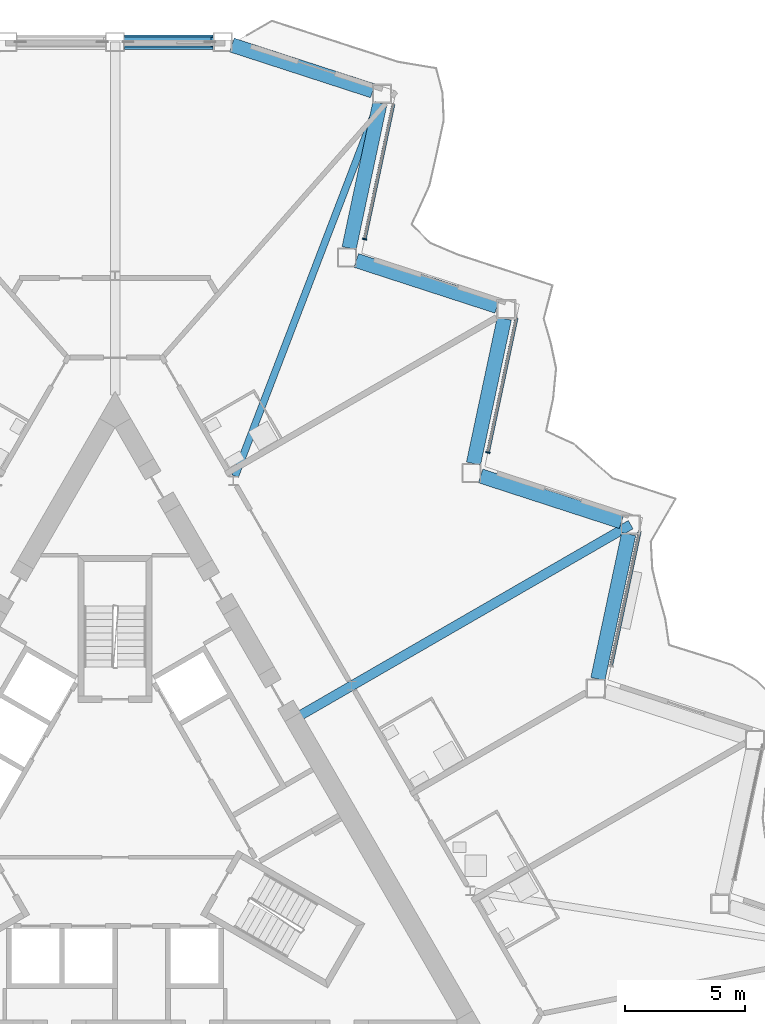
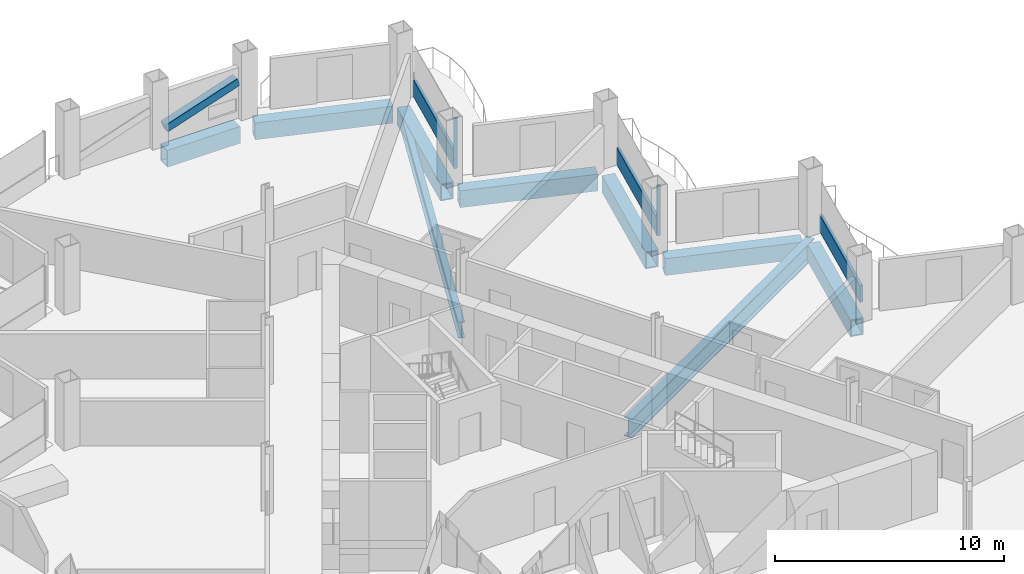
# One storey, part 8 of 23: 8 beams, 7 members, 3 elements without a shape of their own.
"""IFC4 building model written with IfcOpenShell, lengths in metres."""

import ifcopenshell
import ifcopenshell.guid

model = None  # the IFC model being written
_history = None  # IfcOwnerHistory: only IFC2X3 demands one
_inside = {}  # id of a spatial element -> (the spatial element, [elements in it])
_under = {}  # id of a project, library or spatial element -> (it, [spatial elements below it])
_declared = {}  # id of a project -> (the project, [libraries it declares])
_typed = {}  # id of a type object -> (the type object, [elements of that type])
_made_of = {}  # id of a material, layer set ... -> (it, [elements and type objects made of it])


def new_model(schema):
    """Start an empty IFC model of exactly this schema.

    Asked for "IFC4X3", IfcOpenShell would pick the latest addendum, in which some entities
    have other attributes; the version numbers below select the first issue.
    IFC2X3 requires an IfcOwnerHistory on every rooted entity: one is made here for all.
    """
    global model, _history
    if schema == "IFC4X3":
        model = ifcopenshell.file(schema_version=(4, 3, 0, 0))
    else:
        model = ifcopenshell.file(schema=schema)
    _inside.clear()
    _under.clear()
    _declared.clear()
    _typed.clear()
    _made_of.clear()
    _history = None
    if model.schema == "IFC2X3":
        org = make("IfcOrganization", Name="unknown")
        user = make(
            "IfcPersonAndOrganization",
            ThePerson=make("IfcPerson", FamilyName="unknown"),
            TheOrganization=org,
        )
        app = make(
            "IfcApplication",
            ApplicationDeveloper=org,
            Version="unknown",
            ApplicationFullName="unknown",
            ApplicationIdentifier="unknown",
        )
        _history = make(
            "IfcOwnerHistory",
            OwningUser=user,
            OwningApplication=app,
            ChangeAction="ADDED",
            CreationDate=0,
        )
    return model


def make(cls, **values):
    """One entity of the class cls with the attributes given. An attribute that is None is left unset."""
    return model.create_entity(
        cls, **{name: value for name, value in values.items() if value is not None}
    )


def rooted(cls, **values):
    """An entity with a GlobalId (a new one), such as an element, a storey or a relation."""
    return make(cls, GlobalId=ifcopenshell.guid.new(), OwnerHistory=_history, **values)


def si_unit(unit_type, name, prefix=None):
    """IfcSIUnit, for example si_unit("LENGTHUNIT", "METRE", prefix="MILLI")."""
    return make("IfcSIUnit", UnitType=unit_type, Prefix=prefix, Name=name)


def assignment(units):
    """IfcUnitAssignment: the units of a project."""
    return None if units is None else make("IfcUnitAssignment", Units=units)


def point(xyz):
    """IfcCartesianPoint."""
    return None if xyz is None else make("IfcCartesianPoint", Coordinates=xyz)


def direction(xyz):
    """IfcDirection."""
    return None if xyz is None else make("IfcDirection", DirectionRatios=xyz)


def frame(location, z_axis=None, x_axis=None):
    """IfcAxis2Placement3D, a coordinate frame: its origin and axes. An axis left out is left unset."""
    return make(
        "IfcAxis2Placement3D",
        Location=point(location),
        Axis=direction(z_axis),
        RefDirection=direction(x_axis),
    )


def frame_2d(location, x_axis=None):
    """IfcAxis2Placement2D, a coordinate frame in the plane: its origin and x axis."""
    return make(
        "IfcAxis2Placement2D", Location=point(location), RefDirection=direction(x_axis)
    )


def origin():
    """The frame at (0, 0, 0) with its axes left unset."""
    return frame((0.0, 0.0, 0.0))


def origin_2d():
    """The frame at (0, 0) in the plane with its x axis left unset."""
    return frame_2d((0.0, 0.0))


def place(relative_to, where):
    """IfcLocalPlacement: puts the frame where relative to a parent placement (None: the world)."""
    return make(
        "IfcLocalPlacement", PlacementRelTo=relative_to, RelativePlacement=where
    )


def context(
    kind, dimensions, precision=None, world=None, true_north=None, identifier=None
):
    """IfcGeometricRepresentationContext, for example the 3D "Model" context."""
    return make(
        "IfcGeometricRepresentationContext",
        ContextIdentifier=identifier,
        ContextType=kind,
        CoordinateSpaceDimension=dimensions,
        Precision=precision,
        WorldCoordinateSystem=world,
        TrueNorth=true_north,
    )


def subcontext(parent, identifier, kind, view, scale=None):
    """IfcGeometricRepresentationSubContext, for example "Body" below "Model"."""
    return make(
        "IfcGeometricRepresentationSubContext",
        ContextIdentifier=identifier,
        ContextType=kind,
        ParentContext=parent,
        TargetScale=scale,
        TargetView=view,
    )


def project(units=None, contexts=None):
    """IfcProject with its units and contexts."""
    return rooted(
        "IfcProject",
        Name="project",
        RepresentationContexts=contexts,
        UnitsInContext=assignment(units),
    )


def spatial(cls, under=None, at=None, **own):
    """A site, building, storey or space (cls), placed at a placement, below another one or the project."""
    s = rooted(cls, ObjectPlacement=at, **own)
    if under is not None:
        _under.setdefault(under.id(), (under, []))[1].append(s)
    return s


def profile(cls, at=None, kind="AREA", **sizes):
    """A parametric profile (cls). Its sizes go by their IFC names, for example OverallWidth=200.0."""
    return make(cls, ProfileType=kind, Position=at, **sizes)


def rectangle(**sizes):
    """IfcRectangleProfileDef."""
    return profile("IfcRectangleProfileDef", **sizes)


def hollow_rectangle(**sizes):
    """IfcRectangleHollowProfileDef."""
    return profile("IfcRectangleHollowProfileDef", **sizes)


def i_section(**sizes):
    """IfcIShapeProfileDef."""
    return profile("IfcIShapeProfileDef", **sizes)


def extrude(swept, where, along, depth):
    """IfcExtrudedAreaSolid: the profile swept, set in the frame where, extruded along a direction by depth."""
    return make(
        "IfcExtrudedAreaSolid",
        SweptArea=swept,
        Position=where,
        ExtrudedDirection=direction(along),
        Depth=depth,
    )


def shape(context_of_items, identifier, shape_type, items):
    """IfcShapeRepresentation: the items that make up one representation, for example the "Body"."""
    return make(
        "IfcShapeRepresentation",
        ContextOfItems=context_of_items,
        RepresentationIdentifier=identifier,
        RepresentationType=shape_type,
        Items=items,
    )


def material(Name=None, Category=None):
    """IfcMaterial."""
    return make("IfcMaterial", Name=Name, Category=Category)


def layer(
    of_material, thickness, ventilated=None, Name=None, Category=None, Priority=None
):
    """IfcMaterialLayer: one layer of a wall or slab, of a material (None: an air gap)."""
    return make(
        "IfcMaterialLayer",
        Material=of_material,
        LayerThickness=thickness,
        IsVentilated=ventilated,
        Name=Name,
        Category=Category,
        Priority=Priority,
    )


def layer_set(layers, Name=None):
    """IfcMaterialLayerSet."""
    return make("IfcMaterialLayerSet", MaterialLayers=layers, LayerSetName=Name)


def material_profile(
    of_material, cross_section, Name=None, Category=None, Priority=None
):
    """IfcMaterialProfile: a cross section and its material."""
    return make(
        "IfcMaterialProfile",
        Name=Name,
        Material=of_material,
        Profile=cross_section,
        Priority=Priority,
        Category=Category,
    )


def profile_set(profiles, Name=None, composite=None):
    """IfcMaterialProfileSet."""
    return make(
        "IfcMaterialProfileSet",
        Name=Name,
        MaterialProfiles=profiles,
        CompositeProfile=composite,
    )


def made_of(thing, what):
    """Note that an element or type object is made of a material, layer set ...; save() writes the relation."""
    if what is not None:
        _made_of.setdefault(what.id(), (what, []))[1].append(thing)
    return thing


def type_object(cls, material=None, **own):
    """A type object (cls), such as IfcWallType, which elements share."""
    return made_of(rooted(cls, **own), material)


def element(
    cls,
    number,
    at=None,
    inside=None,
    cuts=None,
    type_object=None,
    material=None,
    context=None,
    identifier="Body",
    shape_type=None,
    held_by="IfcProductDefinitionShape",
    body=None,
    shapes=None,
    **own,
):
    """One element of the class cls, such as IfcWall. Its Tag is "e" and its number.

    at: its placement. inside: the storey or other place that contains it. cuts: it is an
    opening in that element (IfcRelVoidsElement). A single representation is given by context,
    identifier, shape_type and body (its items); several are given by shapes. held_by: the class
    of the entity that holds the representations. save() writes the other relations.
    """
    e = rooted(cls, Tag="e%d" % number, ObjectPlacement=at, **own)
    if body is not None:
        shapes = [shape(context, identifier, shape_type, body)]
    if shapes is not None:
        e.Representation = make(held_by, Representations=shapes)
    if inside is not None:
        _inside.setdefault(inside.id(), (inside, []))[1].append(e)
    if cuts is not None:
        rooted(
            "IfcRelVoidsElement", RelatingBuildingElement=cuts, RelatedOpeningElement=e
        )
    if type_object is not None:
        _typed.setdefault(type_object.id(), (type_object, []))[1].append(e)
    return made_of(e, material)


def aggregate(whole, parts):
    """IfcRelAggregates: a whole, such as a stair, and the parts it consists of."""
    return rooted("IfcRelAggregates", RelatingObject=whole, RelatedObjects=parts)


def save(model, path):
    """Write the relations noted so far, then the file.

    IfcRelAggregates (storeys below a building ...), IfcRelContainedInSpatialStructure (elements
    in a storey), IfcRelDefinesByType, IfcRelAssociatesMaterial and IfcRelDeclares: one each for
    every whole, place, type object, material and project.
    """
    for whole, parts in _under.values():
        aggregate(whole, parts)
    for where, things in _inside.values():
        rooted(
            "IfcRelContainedInSpatialStructure",
            RelatedElements=things,
            RelatingStructure=where,
        )
    for kind, things in _typed.values():
        rooted("IfcRelDefinesByType", RelatedObjects=things, RelatingType=kind)
    for what, things in _made_of.values():
        rooted("IfcRelAssociatesMaterial", RelatedObjects=things, RelatingMaterial=what)
    for by, libraries in _declared.values():
        rooted("IfcRelDeclares", RelatingContext=by, RelatedDefinitions=libraries)
    model.write(path)


model = new_model("IFC4")

# Units and contexts
model_context = context("Model", 3, precision=1e-05, world=origin(), true_north=direction((0.0, 1.0)))
body_context = subcontext(model_context, "Body", "Model", "MODEL_VIEW")
ifc_project = project(units=[si_unit("LENGTHUNIT", "METRE"), si_unit("AREAUNIT", "SQUARE_METRE"), si_unit("VOLUMEUNIT", "CUBIC_METRE"), si_unit("PLANEANGLEUNIT", "RADIAN"), si_unit("MASSUNIT", "GRAM", prefix="KILO")], contexts=[model_context])

# Site, building, storey
site_placement = place(None, origin())
site = spatial("IfcSite", under=ifc_project, at=site_placement, CompositionType="ELEMENT")
building_placement = place(site_placement, origin())
building = spatial("IfcBuilding", under=site, at=building_placement, Name="Cormorant Prow Tower", CompositionType="ELEMENT")
storey_placement = place(building_placement, frame((0.0, 0.0, 169.199951171875)))
storey = spatial("IfcBuildingStorey", under=building, at=storey_placement, Name="L35", CompositionType="ELEMENT", Elevation=169.199951171875)

# Beams
ifc_material_1 = material(Name="Structural steel ASTM A572 Gr 50", Category="steel")
ifc_material_profile_1 = material_profile(ifc_material_1, hollow_rectangle(XDim=0.60009765625, YDim=0.89990234375, WallThickness=0.06005859375, at=origin_2d()), Name="Box 900x600x60")
ifc_profile_set_1 = profile_set([ifc_material_profile_1], Name="Structural steel ASTM A572 Gr 50")
beam_type_1 = type_object("IfcBeamType", Name="Belt truss top chord 900x600x60", PredefinedType="BEAM", material=ifc_profile_set_1)
beam_1_placement = place(storey_placement, frame((20.0478515625, 5.9541015625, -0.800048828125), z_axis=(0.207904811195, 0.978149063018, 0.0), x_axis=(-0.978149063018, 0.207904811195, 0.0)))
element("IfcBeam", 1, at=beam_1_placement, inside=storey, type_object=beam_type_1, Name="Belt truss top chord TC2 ENE04-ENE05 L35", PredefinedType="BEAM", context=body_context, shape_type="SweptSolid", body=[
    extrude(hollow_rectangle(XDim=0.60009765625, YDim=0.89990234375, WallThickness=0.06005859375, at=origin_2d()), origin(), (0.0, 0.0, 1.0), 6.149658203125),
])
beam_2_placement = place(storey_placement, frame((21.029052734375, 12.484375, -0.800048828125), z_axis=(-0.951057696564, 0.309013361859, 0.0), x_axis=(-0.309013361859, -0.951057696564, 0.0)))
element("IfcBeam", 2, at=beam_2_placement, inside=storey, type_object=beam_type_1, Name="Belt truss top chord TC2 ENE05-ENE06 L35", PredefinedType="BEAM", context=body_context, shape_type="SweptSolid", body=[
    extrude(hollow_rectangle(XDim=0.60009765625, YDim=0.89990234375, WallThickness=0.06005859375, at=origin_2d()), origin(), (0.0, 0.0, 1.0), 6.14990234375),
])
beam_3_placement = place(storey_placement, frame((14.883056640625, 14.899658203125, -0.800048828125), z_axis=(0.207904811195, 0.978149063018, 0.0), x_axis=(-0.978149063018, 0.207904811195, 0.0)))
element("IfcBeam", 3, at=beam_3_placement, inside=storey, type_object=beam_type_1, Name="Belt truss top chord TC2 ENE06-ENE07 L35", PredefinedType="BEAM", context=body_context, shape_type="SweptSolid", body=[
    extrude(hollow_rectangle(XDim=0.60009765625, YDim=0.89990234375, WallThickness=0.06005859375, at=origin_2d()), origin(), (0.0, 0.0, 1.0), 6.149658203125),
])
beam_4_placement = place(storey_placement, frame((15.864501953125, 21.429931640625, -0.800048828125), z_axis=(-0.951057696564, 0.309013361859, 0.0), x_axis=(-0.309013361859, -0.951057696564, 0.0)))
element("IfcBeam", 4, at=beam_4_placement, inside=storey, type_object=beam_type_1, Name="Belt truss top chord TC2 ENE07-ENE08 L35", PredefinedType="BEAM", context=body_context, shape_type="SweptSolid", body=[
    extrude(hollow_rectangle(XDim=0.60009765625, YDim=0.89990234375, WallThickness=0.06005859375, at=origin_2d()), origin(), (0.0, 0.0, 1.0), 6.14990234375),
])
beam_5_placement = place(storey_placement, frame((9.71826171875, 23.84521484375, -0.800048828125), z_axis=(0.207904811195, 0.978149063018, 0.0), x_axis=(-0.978149063018, 0.207904811195, 0.0)))
element("IfcBeam", 5, at=beam_5_placement, inside=storey, type_object=beam_type_1, Name="Belt truss top chord TC2 ENE08-ENE09 L35", PredefinedType="BEAM", context=body_context, shape_type="SweptSolid", body=[
    extrude(hollow_rectangle(XDim=0.60009765625, YDim=0.89990234375, WallThickness=0.06005859375, at=origin_2d()), origin(), (0.0, 0.0, 1.0), 6.149658203125),
])
beam_6_placement = place(storey_placement, frame((10.69970703125, 30.37548828125, -0.800048828125), z_axis=(-0.951057696564, 0.309013361859, 0.0), x_axis=(-0.309013361859, -0.951057696564, 0.0)))
element("IfcBeam", 6, at=beam_6_placement, inside=storey, type_object=beam_type_1, Name="Belt truss top chord TC2 ENE09-N00 L35", PredefinedType="BEAM", context=body_context, shape_type="SweptSolid", body=[
    extrude(hollow_rectangle(XDim=0.60009765625, YDim=0.89990234375, WallThickness=0.06005859375, at=origin_2d()), origin(), (0.0, 0.0, 1.0), 6.14990234375),
])
beam_7_placement = place(storey_placement, frame((4.0703125, 32.3994140625, -0.800048828125), z_axis=(-1.0, 0.0, 0.0), x_axis=(0.0, -1.0, 0.0)))
element("IfcBeam", 7, at=beam_7_placement, inside=storey, type_object=beam_type_1, Name="Belt truss top chord TC2 N00-N01 L35", PredefinedType="BEAM", context=body_context, shape_type="SweptSolid", body=[
    extrude(hollow_rectangle(XDim=0.60009765625, YDim=0.89990234375, WallThickness=0.06005859375, at=origin_2d()), origin(), (0.0, 0.0, 1.0), 3.67041015625),
])

# Member
ifc_material_2 = material(Name="Structural steel ASTM A500 Gr C", Category="steel")
ifc_material_profile_2 = material_profile(ifc_material_2, hollow_rectangle(XDim=0.406494140625, YDim=0.406494140625, WallThickness=0.01171875, at=origin_2d()), Name="HSS16x16x1/2")
ifc_profile_set_2 = profile_set([ifc_material_profile_2], Name="Structural steel ASTM A500 Gr C")
member_type_1 = type_object("IfcMemberType", Name="Chamfer brace HSS16x16x1/2", PredefinedType="BRACE", material=ifc_profile_set_2)
member_1_placement = place(storey_placement, frame((0.417236328125, 32.3994140625, 0.739990234375), z_axis=(0.947980792039, 0.0, 0.318327532464), x_axis=(0.0, 1.0, 0.0)))
element("IfcMember", 8, at=member_1_placement, inside=storey, type_object=member_type_1, Name="Chamfer brace BR2 at N00 L35", PredefinedType="BRACE", context=body_context, shape_type="SweptSolid", body=[
    extrude(hollow_rectangle(XDim=0.406494140625, YDim=0.406494140625, WallThickness=0.01171875, at=origin_2d()), origin(), (0.0, 0.0, 1.0), 3.83544921875),
])

# Curtain wall, member
ifc_material_3 = material(Name="Aluminium 6063-T6", Category="aluminium")
ifc_layer = layer(ifc_material_3, 0.179931640625)
ifc_layer_set = layer_set([ifc_layer], Name="Aluminium 6063-T6")
curtain_wall_type = type_object("IfcCurtainWallType", Name="Hotel unitised curtain wall 180", PredefinedType="NOTDEFINED", material=ifc_layer_set)
curtain_wall_1_placement = place(storey_placement, origin())
curtain_wall_1 = element("IfcCurtainWall", 9, at=curtain_wall_1_placement, inside=storey, type_object=curtain_wall_type, Name="Hotel curtain wall ENE06", PredefinedType="NOTDEFINED")
ifc_material_4 = material(Name="Aluminium 6063-T6", Category="aluminium")
ifc_material_profile_3 = material_profile(ifc_material_4, rectangle(XDim=0.179931640625, YDim=0.06005859375, at=origin_2d()), Name="Hotel mullion 60x180")
ifc_profile_set_3 = profile_set([ifc_material_profile_3], Name="Aluminium 6063-T6")
member_type_2 = type_object("IfcMemberType", Name="Hotel mullion 60x180", PredefinedType="MULLION", material=ifc_profile_set_3)
member_2_placement = place(storey_placement, frame((15.479736328125, 15.357421875, 0.0), z_axis=(0.0, 0.0, 1.0), x_axis=(-0.978147592729, 0.207911728478, 0.0)))
member_2 = element("IfcMember", 10, at=member_2_placement, type_object=member_type_2, Name="Hotel mullion ENE06", PredefinedType="MULLION", context=body_context, shape_type="SweptSolid", body=[
    extrude(rectangle(XDim=0.179931640625, YDim=0.06005859375, at=origin_2d()), origin(), (0.0, 0.0, 1.0), 2.700927734375),
])

curtain_wall_2_placement = place(storey_placement, origin())
curtain_wall_2 = element("IfcCurtainWall", 11, at=curtain_wall_2_placement, inside=storey, type_object=curtain_wall_type, Name="Hotel curtain wall ENE08", PredefinedType="NOTDEFINED")
member_3_placement = place(storey_placement, frame((10.364013671875, 24.218017578125, 0.0), z_axis=(0.0, 0.0, 1.0), x_axis=(-0.978147592729, 0.207911728478, 0.0)))
member_3 = element("IfcMember", 12, at=member_3_placement, type_object=member_type_2, Name="Hotel mullion ENE08", PredefinedType="MULLION", context=body_context, shape_type="SweptSolid", body=[
    extrude(rectangle(XDim=0.179931640625, YDim=0.06005859375, at=origin_2d()), origin(), (0.0, 0.0, 1.0), 2.700927734375),
])

curtain_wall_3_placement = place(storey_placement, origin())
curtain_wall_3 = element("IfcCurtainWall", 13, at=curtain_wall_3_placement, inside=storey, type_object=curtain_wall_type, Name="Hotel curtain wall ENE04", PredefinedType="NOTDEFINED")
ifc_material_5 = material(Name="Terracotta", Category="masonry")
ifc_material_profile_4 = material_profile(ifc_material_5, rectangle(XDim=0.139892578125, YDim=0.89990234375, at=origin_2d()), Name="Hotel terracotta spandrel rail 140x900")
ifc_profile_set_4 = profile_set([ifc_material_profile_4], Name="Terracotta")
member_type_3 = type_object("IfcMemberType", Name="Hotel terracotta spandrel rail 140x900", PredefinedType="USERDEFINED", material=ifc_profile_set_4)
member_4_placement = place(storey_placement, frame((20.6015625, 6.526123046875, 0.449951171875), z_axis=(0.207922412597, 0.978145321688, 0.0), x_axis=(-0.978145321688, 0.207922412597, 0.0)))
member_4 = element("IfcMember", 14, at=member_4_placement, type_object=member_type_3, Name="Hotel spandrel rail ENE04", ObjectType="TRANSOM", PredefinedType="USERDEFINED", context=body_context, shape_type="SweptSolid", body=[
    extrude(rectangle(XDim=0.139892578125, YDim=0.89990234375, at=origin_2d()), origin(), (0.0, 0.0, 1.0), 5.687744140625),
])
aggregate(curtain_wall_3, [member_4])

# Member
member_5_placement = place(storey_placement, frame((15.48583984375, 15.38671875, 0.449951171875), z_axis=(0.207913683204, 0.978147177237, 0.0), x_axis=(-0.978147177237, 0.207913683204, 0.0)))
member_5 = element("IfcMember", 15, at=member_5_placement, type_object=member_type_3, Name="Hotel spandrel rail ENE06", ObjectType="TRANSOM", PredefinedType="USERDEFINED", context=body_context, shape_type="SweptSolid", body=[
    extrude(rectangle(XDim=0.139892578125, YDim=0.89990234375, at=origin_2d()), origin(), (0.0, 0.0, 1.0), 5.68798828125),
])

aggregate(curtain_wall_1, [member_2, member_5])

member_6_placement = place(storey_placement, frame((10.3701171875, 24.24755859375, 0.449951171875), z_axis=(0.207922412597, 0.978145321688, 0.0), x_axis=(-0.978145321688, 0.207922412597, 0.0)))
member_6 = element("IfcMember", 16, at=member_6_placement, type_object=member_type_3, Name="Hotel spandrel rail ENE08", ObjectType="TRANSOM", PredefinedType="USERDEFINED", context=body_context, shape_type="SweptSolid", body=[
    extrude(rectangle(XDim=0.139892578125, YDim=0.89990234375, at=origin_2d()), origin(), (0.0, 0.0, 1.0), 5.687744140625),
])

aggregate(curtain_wall_2, [member_3, member_6])

ifc_material_6 = material(Name="Structural steel ASTM A992 Gr 50", Category="steel")
ifc_material_profile_5 = material_profile(ifc_material_6, i_section(OverallWidth=0.39990234375, OverallDepth=1.000244140625, WebThickness=0.01904296875, FlangeThickness=0.0361328125, at=origin_2d()), Name="W40x249")
ifc_profile_set_5 = profile_set([ifc_material_profile_5], Name="Structural steel ASTM A992 Gr 50")
member_type_4 = type_object("IfcMemberType", Name="Outrigger chord W40x249", PredefinedType="CHORD", material=ifc_profile_set_5)
member_7_placement = place(storey_placement, frame((7.6201171875, 4.3994140625, -0.85009765625), z_axis=(0.866020892659, 0.500007813417, 0.0), x_axis=(-0.500007813417, 0.866020892659, 0.0)))
element("IfcMember", 17, at=member_7_placement, inside=storey, type_object=member_type_4, Name="Outrigger top chord 6 L35", PredefinedType="CHORD", context=body_context, shape_type="SweptSolid", body=[
    extrude(i_section(OverallWidth=0.39990234375, OverallDepth=1.000244140625, WebThickness=0.01904296875, FlangeThickness=0.0361328125, at=origin_2d()), origin(), (0.0, 0.0, 1.0), 15.922607421875),
])

# Beam
ifc_material_7 = material(Name="Structural steel ASTM A992 Gr 50", Category="steel")
ifc_material_profile_6 = material_profile(ifc_material_7, i_section(OverallWidth=0.29296875, OverallDepth=0.845703125, WebThickness=0.015380859375, FlangeThickness=0.0244140625, at=origin_2d()), Name="W33x141")
ifc_profile_set_6 = profile_set([ifc_material_profile_6], Name="Structural steel ASTM A992 Gr 50")
beam_type_2 = type_object("IfcBeamType", Name="Radial floor beam W33x141", PredefinedType="BEAM", material=ifc_profile_set_6)
beam_8_placement = place(storey_placement, frame((4.9873046875, 14.376220703125, -0.77294921875), z_axis=(0.358301123829, 0.933606075742, 0.0), x_axis=(-0.933606075742, 0.358301123829, 0.0)))
element("IfcBeam", 18, at=beam_8_placement, inside=storey, type_object=beam_type_2, Name="Radial floor beam FB2 12 L35", PredefinedType="BEAM", context=body_context, shape_type="SweptSolid", body=[
    extrude(i_section(OverallWidth=0.29296875, OverallDepth=0.845703125, WebThickness=0.015380859375, FlangeThickness=0.0244140625, at=origin_2d()), origin(), (0.0, 0.0, 1.0), 16.604736328125),
])

save(model, "model.ifc")
